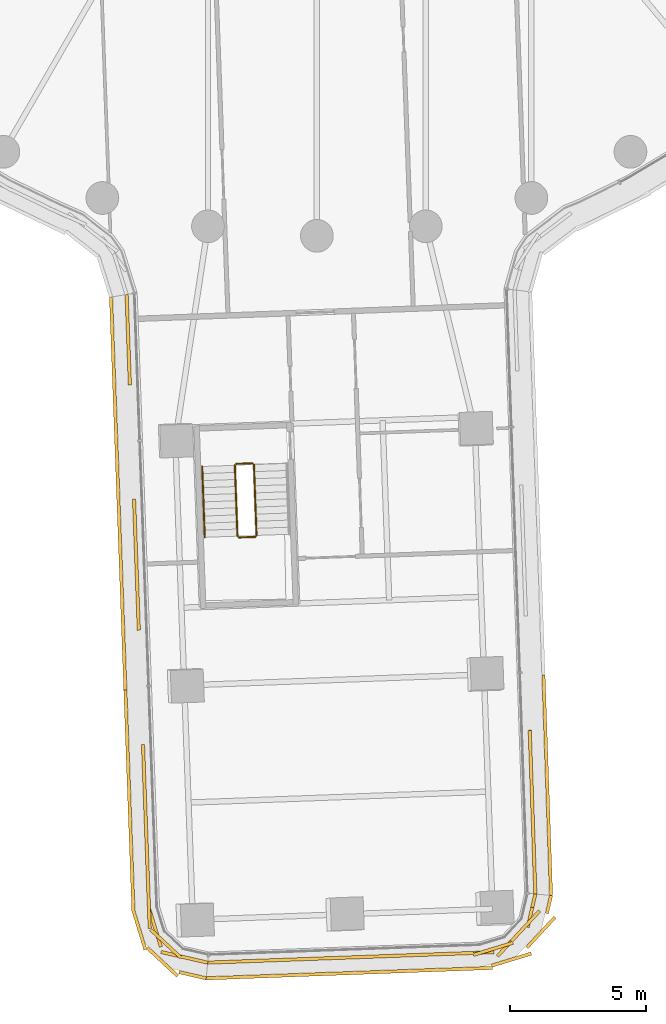
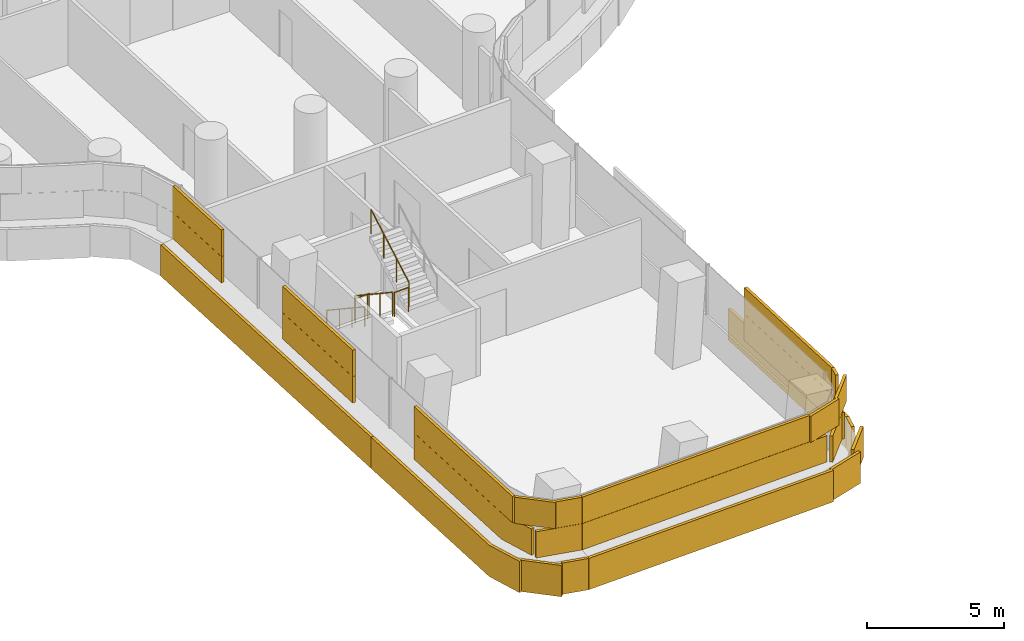
# One storey, part 25 of 31: 5 railings, 4 coverings.
"""IFC4 building model written with IfcOpenShell, lengths in metres."""

from ifc_helpers import new_model, si_unit, direction, frame, origin, origin_2d, place, context, subcontext, project, spatial, rectangle, circle, extrude, material, layer, layer_set, type_object, element, save


model = new_model("IFC4")

# Units and contexts
model_context = context("Model", 3, precision=1e-05, world=origin(), true_north=direction((0.0, 1.0)))
body_context = subcontext(model_context, "Body", "Model", "MODEL_VIEW")
ifc_project = project(units=[si_unit("LENGTHUNIT", "METRE"), si_unit("AREAUNIT", "SQUARE_METRE"), si_unit("VOLUMEUNIT", "CUBIC_METRE"), si_unit("PLANEANGLEUNIT", "RADIAN"), si_unit("MASSUNIT", "GRAM", prefix="KILO")], contexts=[model_context])

# Site, building, storey
site_placement = place(None, origin())
site = spatial("IfcSite", under=ifc_project, at=site_placement, CompositionType="ELEMENT")
building_placement = place(site_placement, origin())
building = spatial("IfcBuilding", under=site, at=building_placement, Name="Tamarind Cross Interchange Tower", CompositionType="ELEMENT")
storey_placement = place(building_placement, frame((0.0, 0.0, 41.5)))
storey = spatial("IfcBuildingStorey", under=building, at=storey_placement, Name="L08", CompositionType="ELEMENT", Elevation=41.5)

# Railings
ifc_material_1 = material(Name="Stair guard")
railing_type_1 = type_object("IfcRailingType", Name="Stair guard", PredefinedType="GUARDRAIL", material=ifc_material_1)
railing_1_placement = place(storey_placement, frame((-3.0087890625, -31.416015625, 0.17041015625)))
element("IfcRailing", 1, at=railing_1_placement, inside=storey, type_object=railing_type_1, Name="L08 ST6 stair guard 1", PredefinedType="GUARDRAIL", context=body_context, shape_type="SweptSolid", body=[
    extrude(circle(Radius=0.02392578125, at=origin_2d()), frame((0.0, 0.0, 1.076171875), z_axis=(0.030548416436, -0.835723001818, 0.54830088317), x_axis=(0.999332597614, 0.036528883713, 0.0)), (0.0, 0.0, 1.0), 3.10888671875),
    extrude(circle(Radius=0.02099609375, at=origin_2d()), origin(), (0.0, 0.0, 1.0), 1.052001953125),
    extrude(circle(Radius=0.02099609375, at=origin_2d()), frame((0.03173828125, -0.865966796875, 0.568115234375)), (0.0, 0.0, 1.0), 1.052001953125),
    extrude(circle(Radius=0.02099609375, at=origin_2d()), frame((0.063232421875, -1.732177734375, 1.136474609375)), (0.0, 0.0, 1.0), 1.052001953125),
    extrude(circle(Radius=0.02099609375, at=origin_2d()), frame((0.094970703125, -2.59814453125, 1.70458984375)), (0.0, 0.0, 1.0), 1.052001953125),
])
railing_2_placement = place(storey_placement, frame((-2.862060546875, -34.0625, 1.875)))
element("IfcRailing", 2, at=railing_2_placement, inside=storey, type_object=railing_type_1, Name="L08 ST6 stair guard 2", PredefinedType="GUARDRAIL", context=body_context, shape_type="SweptSolid", body=[
    extrude(circle(Radius=0.02392578125, at=origin_2d()), frame((0.0, 0.0, 1.076171875), z_axis=(0.999329249242, 0.036620371511, 0.0), x_axis=(-0.036620371511, 0.999329249242, 0.0)), (0.0, 0.0, 1.0), 0.60009765625),
    extrude(circle(Radius=0.02099609375, at=origin_2d()), origin(), (0.0, 0.0, 1.0), 1.052001953125),
    extrude(circle(Radius=0.02099609375, at=origin_2d()), frame((0.599609375, 0.02197265625, 0.0)), (0.0, 0.0, 1.0), 1.052001953125),
])
railing_3_placement = place(storey_placement, frame((-2.21435546875, -33.98876953125, 2.04541015625)))
element("IfcRailing", 3, at=railing_3_placement, inside=storey, type_object=railing_type_1, Name="L08 ST6 stair guard 3", PredefinedType="GUARDRAIL", context=body_context, shape_type="SweptSolid", body=[
    extrude(circle(Radius=0.02392578125, at=origin_2d()), frame((0.0, 0.0, 1.076171875), z_axis=(-0.03046795916, 0.835748683852, 0.548266213535), x_axis=(-0.999336145809, -0.036431685105, 0.0)), (0.0, 0.0, 1.0), 3.109130859375),
    extrude(circle(Radius=0.02099609375, at=origin_2d()), origin(), (0.0, 0.0, 1.0), 1.052001953125),
    extrude(circle(Radius=0.02099609375, at=origin_2d()), frame((-0.031494140625, 0.8662109375, 0.568115234375)), (0.0, 0.0, 1.0), 1.052001953125),
    extrude(circle(Radius=0.02099609375, at=origin_2d()), frame((-0.063232421875, 1.732177734375, 1.136474609375)), (0.0, 0.0, 1.0), 1.052001953125),
    extrude(circle(Radius=0.02099609375, at=origin_2d()), frame((-0.0947265625, 2.598388671875, 1.70458984375)), (0.0, 0.0, 1.0), 1.052001953125),
])
railing_4_placement = place(storey_placement, frame((-2.96044921875, -31.3642578125, 0.0)))
element("IfcRailing", 4, at=railing_4_placement, inside=storey, type_object=railing_type_1, Name="L08 ST6 stair guard 4", PredefinedType="GUARDRAIL", context=body_context, shape_type="SweptSolid", body=[
    extrude(circle(Radius=0.02392578125, at=origin_2d()), frame((0.0, 0.0, 1.076171875), z_axis=(0.999329249242, 0.036620371511, 0.0), x_axis=(-0.036620371511, 0.999329249242, 0.0)), (0.0, 0.0, 1.0), 0.60009765625),
    extrude(circle(Radius=0.02099609375, at=origin_2d()), origin(), (0.0, 0.0, 1.0), 1.052001953125),
    extrude(circle(Radius=0.02099609375, at=origin_2d()), frame((0.599609375, 0.02197265625, 0.0)), (0.0, 0.0, 1.0), 1.052001953125),
])
ifc_material_2 = material(Name="Stair handrail")
railing_type_2 = type_object("IfcRailingType", Name="Stair handrail", PredefinedType="HANDRAIL", material=ifc_material_2)
railing_5_placement = place(storey_placement, frame((-4.207763671875, -31.459716796875, 0.17041015625)))
element("IfcRailing", 5, at=railing_5_placement, inside=storey, type_object=railing_type_2, Name="L08 ST6 stair handrail 1", PredefinedType="HANDRAIL", context=body_context, shape_type="SweptSolid", body=[
    extrude(circle(Radius=0.02392578125, at=origin_2d()), frame((0.0, 0.0, 0.8759765625), z_axis=(0.03046795916, -0.835748683852, 0.548266213535), x_axis=(0.999336145809, 0.036431685105, 0.0)), (0.0, 0.0, 1.0), 3.109130859375),
    extrude(circle(Radius=0.02099609375, at=origin_2d()), origin(), (0.0, 0.0, 1.0), 0.851806640625),
    extrude(circle(Radius=0.02099609375, at=origin_2d()), frame((0.031494140625, -0.8662109375, 0.568115234375)), (0.0, 0.0, 1.0), 0.851806640625),
    extrude(circle(Radius=0.02099609375, at=origin_2d()), frame((0.063232421875, -1.732177734375, 1.136474609375)), (0.0, 0.0, 1.0), 0.851806640625),
    extrude(circle(Radius=0.02099609375, at=origin_2d()), frame((0.0947265625, -2.598388671875, 1.70458984375)), (0.0, 0.0, 1.0), 0.851806640625),
])

# Coverings
ifc_material_3 = material(Name="Terracotta", Category="masonry")
ifc_layer = layer(ifc_material_3, 0.1201171875)
ifc_layer_set = layer_set([ifc_layer], Name="Terracotta")
covering_type = type_object("IfcCoveringType", Name="Terracotta baguette screen unit", PredefinedType="MOLDING", material=ifc_layer_set)
covering_1_placement = place(storey_placement, origin())
element("IfcCovering", 6, at=covering_1_placement, inside=storey, type_object=covering_type, Name="SCR-L08-03-00", PredefinedType="MOLDING", context=body_context, shape_type="SweptSolid", body=[
    extrude(rectangle(XDim=1.510009765625, YDim=0.1201171875, at=origin_2d()), frame((-6.952392578125, -25.90087890625, 1.404052734375), z_axis=(0.0, 0.0, 1.0), x_axis=(0.036462315768, -0.999335028671, 0.0)), (0.0, 0.0, 1.0), 1.1669921875),
    extrude(rectangle(XDim=1.52001953125, YDim=0.1201171875, at=origin_2d()), frame((-6.897705078125, -27.39990234375, 1.404052734375), z_axis=(0.0, 0.0, 1.0), x_axis=(0.036462315768, -0.999335028671, 0.0)), (0.0, 0.0, 1.0), 1.1669921875),
    extrude(rectangle(XDim=0.326904296875, YDim=0.1201171875, at=origin_2d()), frame((-6.864501953125, -28.307861328125, 1.404052734375), z_axis=(0.0, 0.0, 1.0), x_axis=(0.036462315768, -0.999335028671, 0.0)), (0.0, 0.0, 1.0), 1.1669921875),
    extrude(rectangle(XDim=1.492919921875, YDim=0.1201171875, at=origin_2d()), frame((-6.6787109375, -33.404541015625, 1.404052734375), z_axis=(0.0, 0.0, 1.0), x_axis=(0.036462315768, -0.999335028671, 0.0)), (0.0, 0.0, 1.0), 1.1669921875),
    extrude(rectangle(XDim=1.52001953125, YDim=0.1201171875, at=origin_2d()), frame((-6.624267578125, -34.89501953125, 1.404052734375), z_axis=(0.0, 0.0, 1.0), x_axis=(0.036462315768, -0.999335028671, 0.0)), (0.0, 0.0, 1.0), 1.1669921875),
    extrude(rectangle(XDim=1.52001953125, YDim=0.1201171875, at=origin_2d()), frame((-6.569580078125, -36.39404296875, 1.404052734375), z_axis=(0.0, 0.0, 1.0), x_axis=(0.036462315768, -0.999335028671, 0.0)), (0.0, 0.0, 1.0), 1.1669921875),
    extrude(rectangle(XDim=0.326904296875, YDim=0.1201171875, at=origin_2d()), frame((-6.536376953125, -37.3017578125, 1.404052734375), z_axis=(0.0, 0.0, 1.0), x_axis=(0.036462315768, -0.999335028671, 0.0)), (0.0, 0.0, 1.0), 1.1669921875),
    extrude(rectangle(XDim=0.760009765625, YDim=0.1201171875, at=origin_2d()), frame((-6.966064453125, -25.526123046875, 2.5791015625), z_axis=(0.0, 0.0, 1.0), x_axis=(0.036462315768, -0.999335028671, 0.0)), (0.0, 0.0, 1.0), 1.1669921875),
    extrude(rectangle(XDim=1.52001953125, YDim=0.1201171875, at=origin_2d()), frame((-6.925048828125, -26.650390625, 2.5791015625), z_axis=(0.0, 0.0, 1.0), x_axis=(0.036462315768, -0.999335028671, 0.0)), (0.0, 0.0, 1.0), 1.1669921875),
    extrude(rectangle(XDim=1.076904296875, YDim=0.1201171875, at=origin_2d()), frame((-6.878173828125, -27.93310546875, 2.5791015625), z_axis=(0.0, 0.0, 1.0), x_axis=(0.036462315768, -0.999335028671, 0.0)), (0.0, 0.0, 1.0), 1.1669921875),
    extrude(rectangle(XDim=0.742919921875, YDim=0.1201171875, at=origin_2d()), frame((-6.6923828125, -33.02978515625, 2.5791015625), z_axis=(0.0, 0.0, 1.0), x_axis=(0.036462315768, -0.999335028671, 0.0)), (0.0, 0.0, 1.0), 1.1669921875),
    extrude(rectangle(XDim=1.52001953125, YDim=0.1201171875, at=origin_2d()), frame((-6.651611328125, -34.1455078125, 2.5791015625), z_axis=(0.0, 0.0, 1.0), x_axis=(0.036462315768, -0.999335028671, 0.0)), (0.0, 0.0, 1.0), 1.1669921875),
    extrude(rectangle(XDim=1.52001953125, YDim=0.1201171875, at=origin_2d()), frame((-6.596923828125, -35.64453125, 2.5791015625), z_axis=(0.0, 0.0, 1.0), x_axis=(0.036462315768, -0.999335028671, 0.0)), (0.0, 0.0, 1.0), 1.1669921875),
    extrude(rectangle(XDim=1.076904296875, YDim=0.1201171875, at=origin_2d()), frame((-6.550048828125, -36.927001953125, 2.5791015625), z_axis=(0.0, 0.0, 1.0), x_axis=(0.036462315768, -0.999335028671, 0.0)), (0.0, 0.0, 1.0), 1.1669921875),
    extrude(rectangle(XDim=1.510009765625, YDim=0.1201171875, at=origin_2d()), frame((-7.52294921875, -26.0029296875, 0.00390625), z_axis=(0.0, 0.0, 1.0), x_axis=(0.036462315768, -0.999335028671, 0.0)), (0.0, 0.0, 1.0), 1.39208984375),
    extrude(rectangle(XDim=1.52001953125, YDim=0.1201171875, at=origin_2d()), frame((-7.468505859375, -27.4970703125, 0.00390625), z_axis=(0.0, 0.0, 1.0), x_axis=(0.036462315768, -0.999335028671, 0.0)), (0.0, 0.0, 1.0), 1.39208984375),
    extrude(rectangle(XDim=1.52001953125, YDim=0.1201171875, at=origin_2d()), frame((-7.413818359375, -28.99609375, 0.00390625), z_axis=(0.0, 0.0, 1.0), x_axis=(0.036462315768, -0.999335028671, 0.0)), (0.0, 0.0, 1.0), 1.39208984375),
    extrude(rectangle(XDim=1.52001953125, YDim=0.1201171875, at=origin_2d()), frame((-7.359130859375, -30.4951171875, 0.00390625), z_axis=(0.0, 0.0, 1.0), x_axis=(0.036462315768, -0.999335028671, 0.0)), (0.0, 0.0, 1.0), 1.39208984375),
    extrude(rectangle(XDim=1.52001953125, YDim=0.1201171875, at=origin_2d()), frame((-7.304443359375, -31.994140625, 0.00390625), z_axis=(0.0, 0.0, 1.0), x_axis=(0.036462315768, -0.999335028671, 0.0)), (0.0, 0.0, 1.0), 1.39208984375),
    extrude(rectangle(XDim=1.52001953125, YDim=0.1201171875, at=origin_2d()), frame((-7.249755859375, -33.4931640625, 0.00390625), z_axis=(0.0, 0.0, 1.0), x_axis=(0.036462315768, -0.999335028671, 0.0)), (0.0, 0.0, 1.0), 1.39208984375),
    extrude(rectangle(XDim=1.52001953125, YDim=0.1201171875, at=origin_2d()), frame((-7.195068359375, -34.9921875, 0.00390625), z_axis=(0.0, 0.0, 1.0), x_axis=(0.036462315768, -0.999335028671, 0.0)), (0.0, 0.0, 1.0), 1.39208984375),
    extrude(rectangle(XDim=1.52001953125, YDim=0.1201171875, at=origin_2d()), frame((-7.140380859375, -36.490966796875, 0.00390625), z_axis=(0.0, 0.0, 1.0), x_axis=(0.036462315768, -0.999335028671, 0.0)), (0.0, 0.0, 1.0), 1.39208984375),
    extrude(rectangle(XDim=1.52001953125, YDim=0.1201171875, at=origin_2d()), frame((-7.085693359375, -37.989990234375, 0.00390625), z_axis=(0.0, 0.0, 1.0), x_axis=(0.036462315768, -0.999335028671, 0.0)), (0.0, 0.0, 1.0), 1.39208984375),
    extrude(rectangle(XDim=0.926513671875, YDim=0.1201171875, at=origin_2d()), frame((-7.041748046875, -39.192626953125, 0.00390625), z_axis=(0.0, 0.0, 1.0), x_axis=(0.036462315768, -0.999335028671, 0.0)), (0.0, 0.0, 1.0), 1.39208984375),
])
covering_2_placement = place(storey_placement, origin())
element("IfcCovering", 7, at=covering_2_placement, inside=storey, type_object=covering_type, Name="SCR-L08-03-01", PredefinedType="MOLDING", context=body_context, shape_type="SweptSolid", body=[
    extrude(rectangle(XDim=1.4931640625, YDim=0.1201171875, at=origin_2d()), frame((-6.350341796875, -42.3984375, 1.404052734375), z_axis=(0.0, 0.0, 1.0), x_axis=(0.036462315768, -0.999335028671, 0.0)), (0.0, 0.0, 1.0), 1.1669921875),
    extrude(rectangle(XDim=1.52001953125, YDim=0.1201171875, at=origin_2d()), frame((-6.296142578125, -43.888916015625, 1.404052734375), z_axis=(0.0, 0.0, 1.0), x_axis=(0.036462315768, -0.999335028671, 0.0)), (0.0, 0.0, 1.0), 1.1669921875),
    extrude(rectangle(XDim=1.52001953125, YDim=0.1201171875, at=origin_2d()), frame((-6.241455078125, -45.387939453125, 1.404052734375), z_axis=(0.0, 0.0, 1.0), x_axis=(0.036462315768, -0.999335028671, 0.0)), (0.0, 0.0, 1.0), 1.1669921875),
    extrude(rectangle(XDim=1.52001953125, YDim=0.1201171875, at=origin_2d()), frame((-6.186767578125, -46.886962890625, 1.404052734375), z_axis=(0.0, 0.0, 1.0), x_axis=(0.036462315768, -0.999335028671, 0.0)), (0.0, 0.0, 1.0), 1.1669921875),
    extrude(rectangle(XDim=1.52001953125, YDim=0.1201171875, at=origin_2d()), frame((-5.94384765625, -48.354248046875, 1.404052734375), z_axis=(0.0, 0.0, 1.0), x_axis=(0.293866830345, -0.955846371559, 0.0)), (0.0, 0.0, 1.0), 1.1669921875),
    extrude(rectangle(XDim=1.52001953125, YDim=0.1201171875, at=origin_2d()), frame((-4.97607421875, -49.434326171875, 1.404052734375), z_axis=(0.0, 0.0, 1.0), x_axis=(0.974720655058, -0.223427045372, 0.0)), (0.0, 0.0, 1.0), 1.1669921875),
    extrude(rectangle(XDim=0.255126953125, YDim=0.1201171875, at=origin_2d()), frame((-4.12548828125, -49.629150390625, 1.404052734375), z_axis=(0.0, 0.0, 1.0), x_axis=(0.974720655058, -0.223427045372, 0.0)), (0.0, 0.0, 1.0), 1.1669921875),
    extrude(rectangle(XDim=0.7431640625, YDim=0.1201171875, at=origin_2d()), frame((-6.364013671875, -42.023681640625, 2.5791015625), z_axis=(0.0, 0.0, 1.0), x_axis=(0.036462315768, -0.999335028671, 0.0)), (0.0, 0.0, 1.0), 1.1669921875),
    extrude(rectangle(XDim=1.52001953125, YDim=0.1201171875, at=origin_2d()), frame((-6.323486328125, -43.139404296875, 2.5791015625), z_axis=(0.0, 0.0, 1.0), x_axis=(0.036462315768, -0.999335028671, 0.0)), (0.0, 0.0, 1.0), 1.1669921875),
    extrude(rectangle(XDim=1.52001953125, YDim=0.1201171875, at=origin_2d()), frame((-6.268798828125, -44.638427734375, 2.5791015625), z_axis=(0.0, 0.0, 1.0), x_axis=(0.036462315768, -0.999335028671, 0.0)), (0.0, 0.0, 1.0), 1.1669921875),
    extrude(rectangle(XDim=1.52001953125, YDim=0.1201171875, at=origin_2d()), frame((-6.214111328125, -46.137451171875, 2.5791015625), z_axis=(0.0, 0.0, 1.0), x_axis=(0.036462315768, -0.999335028671, 0.0)), (0.0, 0.0, 1.0), 1.1669921875),
    extrude(rectangle(XDim=1.52001953125, YDim=0.1201171875, at=origin_2d()), frame((-6.159423828125, -47.636474609375, 2.5791015625), z_axis=(0.0, 0.0, 1.0), x_axis=(0.036462315768, -0.999335028671, 0.0)), (0.0, 0.0, 1.0), 1.1669921875),
    extrude(rectangle(XDim=1.52001953125, YDim=0.1201171875, at=origin_2d()), frame((-5.543701171875, -48.95849609375, 2.5791015625), z_axis=(0.0, 0.0, 1.0), x_axis=(0.732419326188, -0.680853824713, 0.0)), (0.0, 0.0, 1.0), 1.1669921875),
    extrude(rectangle(XDim=1.005126953125, YDim=0.1201171875, at=origin_2d()), frame((-4.490966796875, -49.54541015625, 2.5791015625), z_axis=(0.0, 0.0, 1.0), x_axis=(0.974720655058, -0.223427045372, 0.0)), (0.0, 0.0, 1.0), 1.1669921875),
    extrude(rectangle(XDim=0.593505859375, YDim=0.1201171875, at=origin_2d()), frame((-7.01416015625, -39.9521484375, 0.00390625), z_axis=(0.0, 0.0, 1.0), x_axis=(0.036462315768, -0.999335028671, 0.0)), (0.0, 0.0, 1.0), 1.39208984375),
    extrude(rectangle(XDim=1.52001953125, YDim=0.1201171875, at=origin_2d()), frame((-6.976318359375, -40.988037109375, 0.00390625), z_axis=(0.0, 0.0, 1.0), x_axis=(0.036462315768, -0.999335028671, 0.0)), (0.0, 0.0, 1.0), 1.39208984375),
    extrude(rectangle(XDim=1.52001953125, YDim=0.1201171875, at=origin_2d()), frame((-6.921630859375, -42.487060546875, 0.00390625), z_axis=(0.0, 0.0, 1.0), x_axis=(0.036462315768, -0.999335028671, 0.0)), (0.0, 0.0, 1.0), 1.39208984375),
    extrude(rectangle(XDim=1.52001953125, YDim=0.1201171875, at=origin_2d()), frame((-6.866943359375, -43.986083984375, 0.00390625), z_axis=(0.0, 0.0, 1.0), x_axis=(0.036462315768, -0.999335028671, 0.0)), (0.0, 0.0, 1.0), 1.39208984375),
    extrude(rectangle(XDim=1.52001953125, YDim=0.1201171875, at=origin_2d()), frame((-6.812255859375, -45.485107421875, 0.00390625), z_axis=(0.0, 0.0, 1.0), x_axis=(0.036462315768, -0.999335028671, 0.0)), (0.0, 0.0, 1.0), 1.39208984375),
    extrude(rectangle(XDim=1.52001953125, YDim=0.1201171875, at=origin_2d()), frame((-6.757568359375, -46.984130859375, 0.00390625), z_axis=(0.0, 0.0, 1.0), x_axis=(0.036462315768, -0.999335028671, 0.0)), (0.0, 0.0, 1.0), 1.39208984375),
    extrude(rectangle(XDim=1.52001953125, YDim=0.1201171875, at=origin_2d()), frame((-6.514404296875, -48.451171875, 0.00390625), z_axis=(0.0, 0.0, 1.0), x_axis=(0.293866830345, -0.955846371559, 0.0)), (0.0, 0.0, 1.0), 1.39208984375),
    extrude(rectangle(XDim=1.52001953125, YDim=0.1201171875, at=origin_2d()), frame((-5.66552734375, -49.629150390625, 0.00390625), z_axis=(0.0, 0.0, 1.0), x_axis=(0.732419326188, -0.680853824713, 0.0)), (0.0, 0.0, 1.0), 1.39208984375),
    extrude(rectangle(XDim=1.020751953125, YDim=0.1201171875, at=origin_2d()), frame((-4.55810546875, -50.118896484375, 0.00390625), z_axis=(0.0, 0.0, 1.0), x_axis=(0.974720655058, -0.223427045372, 0.0)), (0.0, 0.0, 1.0), 1.39208984375),
])
covering_3_placement = place(storey_placement, origin())
element("IfcCovering", 8, at=covering_3_placement, inside=storey, type_object=covering_type, Name="SCR-L08-04-00", PredefinedType="MOLDING", context=body_context, shape_type="SweptSolid", body=[
    extrude(rectangle(XDim=1.510009765625, YDim=0.1201171875, at=origin_2d()), frame((-3.256591796875, -49.629150390625, 1.404052734375), z_axis=(0.0, 0.0, 1.0), x_axis=(0.999335028671, 0.036462315768, 0.0)), (0.0, 0.0, 1.0), 1.1669921875),
    extrude(rectangle(XDim=1.52001953125, YDim=0.1201171875, at=origin_2d()), frame((-1.757568359375, -49.574462890625, 1.404052734375), z_axis=(0.0, 0.0, 1.0), x_axis=(0.999335028671, 0.036462315768, 0.0)), (0.0, 0.0, 1.0), 1.1669921875),
    extrude(rectangle(XDim=1.52001953125, YDim=0.1201171875, at=origin_2d()), frame((-0.258544921875, -49.519775390625, 1.404052734375), z_axis=(0.0, 0.0, 1.0), x_axis=(0.999335028671, 0.036462315768, 0.0)), (0.0, 0.0, 1.0), 1.1669921875),
    extrude(rectangle(XDim=1.52001953125, YDim=0.1201171875, at=origin_2d()), frame((1.240478515625, -49.465087890625, 1.404052734375), z_axis=(0.0, 0.0, 1.0), x_axis=(0.999335028671, 0.036462315768, 0.0)), (0.0, 0.0, 1.0), 1.1669921875),
    extrude(rectangle(XDim=1.52001953125, YDim=0.1201171875, at=origin_2d()), frame((2.739501953125, -49.410400390625, 1.404052734375), z_axis=(0.0, 0.0, 1.0), x_axis=(0.999335028671, 0.036462315768, 0.0)), (0.0, 0.0, 1.0), 1.1669921875),
    extrude(rectangle(XDim=1.52001953125, YDim=0.1201171875, at=origin_2d()), frame((4.238525390625, -49.355712890625, 1.404052734375), z_axis=(0.0, 0.0, 1.0), x_axis=(0.999335028671, 0.036462315768, 0.0)), (0.0, 0.0, 1.0), 1.1669921875),
    extrude(rectangle(XDim=1.52001953125, YDim=0.1201171875, at=origin_2d()), frame((5.737548828125, -49.301025390625, 1.404052734375), z_axis=(0.0, 0.0, 1.0), x_axis=(0.999335028671, 0.036462315768, 0.0)), (0.0, 0.0, 1.0), 1.1669921875),
    extrude(rectangle(XDim=1.52001953125, YDim=0.1201171875, at=origin_2d()), frame((7.140380859375, -48.86279296875, 1.404052734375), z_axis=(0.0, 0.0, 1.0), x_axis=(0.680853824713, 0.732419326188, 0.0)), (0.0, 0.0, 1.0), 1.1669921875),
    extrude(rectangle(XDim=1.259521484375, YDim=0.1201171875, at=origin_2d()), frame((7.872314453125, -47.74755859375, 1.404052734375), z_axis=(0.0, 0.0, 1.0), x_axis=(0.223427045372, 0.974720655058, 0.0)), (0.0, 0.0, 1.0), 1.1669921875),
    extrude(rectangle(XDim=0.760009765625, YDim=0.1201171875, at=origin_2d()), frame((-3.63134765625, -49.642822265625, 2.5791015625), z_axis=(0.0, 0.0, 1.0), x_axis=(0.999335028671, 0.036462315768, 0.0)), (0.0, 0.0, 1.0), 1.1669921875),
    extrude(rectangle(XDim=1.52001953125, YDim=0.1201171875, at=origin_2d()), frame((-2.507080078125, -49.601806640625, 2.5791015625), z_axis=(0.0, 0.0, 1.0), x_axis=(0.999335028671, 0.036462315768, 0.0)), (0.0, 0.0, 1.0), 1.1669921875),
    extrude(rectangle(XDim=1.52001953125, YDim=0.1201171875, at=origin_2d()), frame((-1.008056640625, -49.547119140625, 2.5791015625), z_axis=(0.0, 0.0, 1.0), x_axis=(0.999335028671, 0.036462315768, 0.0)), (0.0, 0.0, 1.0), 1.1669921875),
    extrude(rectangle(XDim=1.52001953125, YDim=0.1201171875, at=origin_2d()), frame((0.490966796875, -49.492431640625, 2.5791015625), z_axis=(0.0, 0.0, 1.0), x_axis=(0.999335028671, 0.036462315768, 0.0)), (0.0, 0.0, 1.0), 1.1669921875),
    extrude(rectangle(XDim=1.52001953125, YDim=0.1201171875, at=origin_2d()), frame((1.989990234375, -49.437744140625, 2.5791015625), z_axis=(0.0, 0.0, 1.0), x_axis=(0.999335028671, 0.036462315768, 0.0)), (0.0, 0.0, 1.0), 1.1669921875),
    extrude(rectangle(XDim=1.52001953125, YDim=0.1201171875, at=origin_2d()), frame((3.489013671875, -49.383056640625, 2.5791015625), z_axis=(0.0, 0.0, 1.0), x_axis=(0.999335028671, 0.036462315768, 0.0)), (0.0, 0.0, 1.0), 1.1669921875),
    extrude(rectangle(XDim=1.52001953125, YDim=0.1201171875, at=origin_2d()), frame((4.988037109375, -49.328369140625, 2.5791015625), z_axis=(0.0, 0.0, 1.0), x_axis=(0.999335028671, 0.036462315768, 0.0)), (0.0, 0.0, 1.0), 1.1669921875),
    extrude(rectangle(XDim=1.52001953125, YDim=0.1201171875, at=origin_2d()), frame((6.46630859375, -49.151123046875, 2.5791015625), z_axis=(0.0, 0.0, 1.0), x_axis=(0.955846371559, 0.293866830345, 0.0)), (0.0, 0.0, 1.0), 1.1669921875),
    extrude(rectangle(XDim=1.52001953125, YDim=0.1201171875, at=origin_2d()), frame((7.651123046875, -48.3134765625, 2.5791015625), z_axis=(0.0, 0.0, 1.0), x_axis=(0.680853824713, 0.732419326188, 0.0)), (0.0, 0.0, 1.0), 1.1669921875),
    extrude(rectangle(XDim=0.509521484375, YDim=0.1201171875, at=origin_2d()), frame((7.9560546875, -47.382080078125, 2.5791015625), z_axis=(0.0, 0.0, 1.0), x_axis=(0.223427045372, 0.974720655058, 0.0)), (0.0, 0.0, 1.0), 1.1669921875),
    extrude(rectangle(XDim=1.510009765625, YDim=0.1201171875, at=origin_2d()), frame((-3.30615234375, -50.20556640625, 0.00390625), z_axis=(0.0, 0.0, 1.0), x_axis=(0.999335028671, 0.036462315768, 0.0)), (0.0, 0.0, 1.0), 1.39208984375),
    extrude(rectangle(XDim=1.52001953125, YDim=0.1201171875, at=origin_2d()), frame((-1.812255859375, -50.15087890625, 0.00390625), z_axis=(0.0, 0.0, 1.0), x_axis=(0.999335028671, 0.036462315768, 0.0)), (0.0, 0.0, 1.0), 1.39208984375),
    extrude(rectangle(XDim=1.52001953125, YDim=0.1201171875, at=origin_2d()), frame((-0.313232421875, -50.09619140625, 0.00390625), z_axis=(0.0, 0.0, 1.0), x_axis=(0.999335028671, 0.036462315768, 0.0)), (0.0, 0.0, 1.0), 1.39208984375),
    extrude(rectangle(XDim=1.52001953125, YDim=0.1201171875, at=origin_2d()), frame((1.185791015625, -50.04150390625, 0.00390625), z_axis=(0.0, 0.0, 1.0), x_axis=(0.999335028671, 0.036462315768, 0.0)), (0.0, 0.0, 1.0), 1.39208984375),
    extrude(rectangle(XDim=1.52001953125, YDim=0.1201171875, at=origin_2d()), frame((2.684814453125, -49.98681640625, 0.00390625), z_axis=(0.0, 0.0, 1.0), x_axis=(0.999335028671, 0.036462315768, 0.0)), (0.0, 0.0, 1.0), 1.39208984375),
    extrude(rectangle(XDim=1.52001953125, YDim=0.1201171875, at=origin_2d()), frame((4.183837890625, -49.93212890625, 0.00390625), z_axis=(0.0, 0.0, 1.0), x_axis=(0.999335028671, 0.036462315768, 0.0)), (0.0, 0.0, 1.0), 1.39208984375),
    extrude(rectangle(XDim=1.52001953125, YDim=0.1201171875, at=origin_2d()), frame((5.682861328125, -49.87744140625, 0.00390625), z_axis=(0.0, 0.0, 1.0), x_axis=(0.999335028671, 0.036462315768, 0.0)), (0.0, 0.0, 1.0), 1.39208984375),
    extrude(rectangle(XDim=1.52001953125, YDim=0.1201171875, at=origin_2d()), frame((7.135009765625, -49.546142578125, 0.00390625), z_axis=(0.0, 0.0, 1.0), x_axis=(0.955846371559, 0.293866830345, 0.0)), (0.0, 0.0, 1.0), 1.39208984375),
    extrude(rectangle(XDim=1.52001953125, YDim=0.1201171875, at=origin_2d()), frame((8.21826171875, -48.546142578125, 0.00390625), z_axis=(0.0, 0.0, 1.0), x_axis=(0.680853824713, 0.732419326188, 0.0)), (0.0, 0.0, 1.0), 1.39208984375),
    extrude(rectangle(XDim=0.676513671875, YDim=0.1201171875, at=origin_2d()), frame((8.5126953125, -47.5234375, 0.00390625), z_axis=(0.0, 0.0, 1.0), x_axis=(0.223427045372, 0.974720655058, 0.0)), (0.0, 0.0, 1.0), 1.39208984375),
])
covering_4_placement = place(storey_placement, origin())
element("IfcCovering", 9, at=covering_4_placement, inside=storey, type_object=covering_type, Name="SCR-L08-05-00", PredefinedType="MOLDING", context=body_context, shape_type="SweptSolid", body=[
    extrude(rectangle(XDim=1.510009765625, YDim=0.1201171875, at=origin_2d()), frame((7.986083984375, -46.38916015625, 1.404052734375), z_axis=(0.0, 0.0, 1.0), x_axis=(-0.034342684894, 0.999410116016, 0.0)), (0.0, 0.0, 1.0), 1.1669921875),
    extrude(rectangle(XDim=1.52001953125, YDim=0.1201171875, at=origin_2d()), frame((7.9345703125, -44.889892578125, 1.404052734375), z_axis=(0.0, 0.0, 1.0), x_axis=(-0.034342684894, 0.999410116016, 0.0)), (0.0, 0.0, 1.0), 1.1669921875),
    extrude(rectangle(XDim=1.52001953125, YDim=0.1201171875, at=origin_2d()), frame((7.883056640625, -43.390869140625, 1.404052734375), z_axis=(0.0, 0.0, 1.0), x_axis=(-0.034342684894, 0.999410116016, 0.0)), (0.0, 0.0, 1.0), 1.1669921875),
    extrude(rectangle(XDim=1.52001953125, YDim=0.1201171875, at=origin_2d()), frame((7.83154296875, -41.891845703125, 1.404052734375), z_axis=(0.0, 0.0, 1.0), x_axis=(-0.034342684894, 0.999410116016, 0.0)), (0.0, 0.0, 1.0), 1.1669921875),
    extrude(rectangle(XDim=0.760009765625, YDim=0.1201171875, at=origin_2d()), frame((7.9990234375, -46.763916015625, 2.5791015625), z_axis=(0.0, 0.0, 1.0), x_axis=(-0.034342684894, 0.999410116016, 0.0)), (0.0, 0.0, 1.0), 1.1669921875),
    extrude(rectangle(XDim=1.52001953125, YDim=0.1201171875, at=origin_2d()), frame((7.96044921875, -45.6396484375, 2.5791015625), z_axis=(0.0, 0.0, 1.0), x_axis=(-0.034342684894, 0.999410116016, 0.0)), (0.0, 0.0, 1.0), 1.1669921875),
    extrude(rectangle(XDim=1.52001953125, YDim=0.1201171875, at=origin_2d()), frame((7.908935546875, -44.140380859375, 2.5791015625), z_axis=(0.0, 0.0, 1.0), x_axis=(-0.034342684894, 0.999410116016, 0.0)), (0.0, 0.0, 1.0), 1.1669921875),
    extrude(rectangle(XDim=1.52001953125, YDim=0.1201171875, at=origin_2d()), frame((7.857421875, -42.641357421875, 2.5791015625), z_axis=(0.0, 0.0, 1.0), x_axis=(-0.034342684894, 0.999410116016, 0.0)), (0.0, 0.0, 1.0), 1.1669921875),
    extrude(rectangle(XDim=0.76123046875, YDim=0.1201171875, at=origin_2d()), frame((7.818603515625, -41.516357421875, 2.5791015625), z_axis=(0.0, 0.0, 1.0), x_axis=(-0.034342684894, 0.999410116016, 0.0)), (0.0, 0.0, 1.0), 1.1669921875),
    extrude(rectangle(XDim=1.510009765625, YDim=0.1201171875, at=origin_2d()), frame((8.562255859375, -46.439208984375, 0.00390625), z_axis=(0.0, 0.0, 1.0), x_axis=(-0.034342684894, 0.999410116016, 0.0)), (0.0, 0.0, 1.0), 1.39208984375),
    extrude(rectangle(XDim=1.52001953125, YDim=0.1201171875, at=origin_2d()), frame((8.510986328125, -44.945068359375, 0.00390625), z_axis=(0.0, 0.0, 1.0), x_axis=(-0.034342684894, 0.999410116016, 0.0)), (0.0, 0.0, 1.0), 1.39208984375),
    extrude(rectangle(XDim=1.52001953125, YDim=0.1201171875, at=origin_2d()), frame((8.45947265625, -43.446044921875, 0.00390625), z_axis=(0.0, 0.0, 1.0), x_axis=(-0.034342684894, 0.999410116016, 0.0)), (0.0, 0.0, 1.0), 1.39208984375),
    extrude(rectangle(XDim=1.52001953125, YDim=0.1201171875, at=origin_2d()), frame((8.407958984375, -41.947021484375, 0.00390625), z_axis=(0.0, 0.0, 1.0), x_axis=(-0.034342684894, 0.999410116016, 0.0)), (0.0, 0.0, 1.0), 1.39208984375),
    extrude(rectangle(XDim=1.52001953125, YDim=0.1201171875, at=origin_2d()), frame((8.3564453125, -40.44775390625, 0.00390625), z_axis=(0.0, 0.0, 1.0), x_axis=(-0.034342684894, 0.999410116016, 0.0)), (0.0, 0.0, 1.0), 1.39208984375),
    extrude(rectangle(XDim=0.606201171875, YDim=0.1201171875, at=origin_2d()), frame((8.320556640625, -39.4052734375, 0.00390625), z_axis=(0.0, 0.0, 1.0), x_axis=(-0.034342684894, 0.999410116016, 0.0)), (0.0, 0.0, 1.0), 1.39208984375),
])

save(model, "model.ifc")
